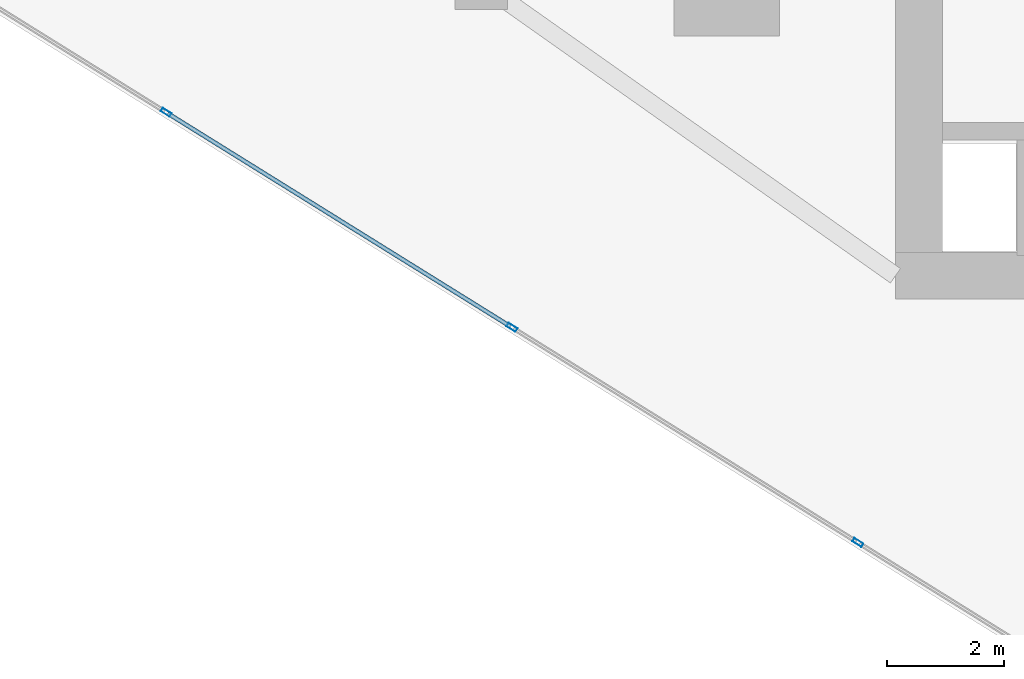
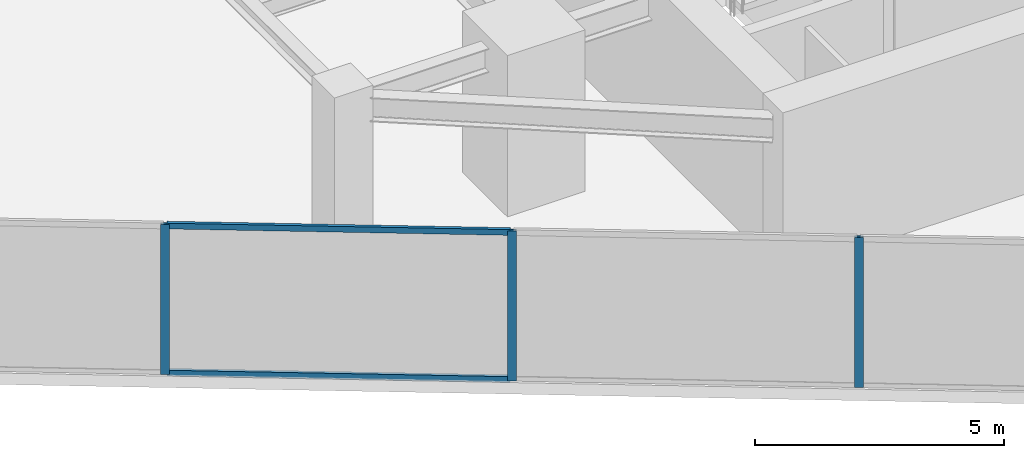
# One storey, part 2 of 25: 5 members, 1 element without a shape of its own.
"""IFC4 building model written with IfcOpenShell, lengths in metres."""

from ifc_helpers import new_model, si_unit, direction, frame, origin, origin_2d, place, context, subcontext, project, spatial, hollow_rectangle, extrude, source, transform, mapped, material, material_profile, profile_set, type_object, type_shapes, element, aggregate, save


model = new_model("IFC4")

# Units and contexts
model_context = context("Model", 3, precision=1e-05, world=origin(), true_north=direction((0.0, 1.0)))
body_context = subcontext(model_context, "Body", "Model", "MODEL_VIEW")
ifc_project = project(units=[si_unit("LENGTHUNIT", "METRE"), si_unit("AREAUNIT", "SQUARE_METRE"), si_unit("VOLUMEUNIT", "CUBIC_METRE"), si_unit("PLANEANGLEUNIT", "RADIAN"), si_unit("MASSUNIT", "GRAM", prefix="KILO")], contexts=[model_context])

# Site, building, storey
site_placement = place(None, origin())
site = spatial("IfcSite", under=ifc_project, at=site_placement, CompositionType="ELEMENT")
building_placement = place(site_placement, origin())
building = spatial("IfcBuilding", under=site, at=building_placement, Name="Krantzveldt Concourse Tower", CompositionType="ELEMENT")
storey_placement = place(building_placement, frame((0.0, 0.0, 177.800048828125)))
storey = spatial("IfcBuildingStorey", under=building, at=storey_placement, Name="L43", CompositionType="ELEMENT", Elevation=177.800048828125)

# Curtain wall, members
ifc_material = material(Name="Anodised aluminium 6063-T6", Category="aluminium")
curtain_wall_type = type_object("IfcCurtainWallType", Name="CW3", PredefinedType="USERDEFINED", material=ifc_material)
curtain_wall_placement = place(storey_placement, origin())
curtain_wall = element("IfcCurtainWall", 1, at=curtain_wall_placement, inside=storey, type_object=curtain_wall_type, Name="CW-L43-F04", ObjectType="UNITISED CURTAIN WALL", PredefinedType="USERDEFINED")
ifc_material_profile_1 = material_profile(ifc_material, hollow_rectangle(XDim=0.070068359375, YDim=0.179931640625, WallThickness=0.0048828125, at=origin_2d()), Name="Anodised aluminium 6063-T6", Category="aluminium")
ifc_profile_set_1 = profile_set([ifc_material_profile_1], Name="Anodised aluminium 6063-T6 - ALU-MULL 180x70x5")
member_type_1 = type_object("IfcMemberType", Name="CW-MUL-180", PredefinedType="MULLION", material=ifc_profile_set_1)
shared_shape_1 = source(origin(), body_context, "Body", "SweptSolid", [
    extrude(hollow_rectangle(XDim=0.070068359375, YDim=0.179931640625, WallThickness=0.0048828125, at=origin_2d()), origin(), (0.0, 0.0, 1.0), 3.669921875),
])
type_shapes(member_type_1, [shared_shape_1])
member_1_placement = place(storey_placement, frame((15.6171875, 13.69189453125, 0.0), z_axis=(0.0, 0.0, 1.0), x_axis=(0.528067901977, 0.84920214961, 0.0)))
member_1 = element("IfcMember", 2, at=member_1_placement, type_object=member_type_1, Name="CW-Z34 mullion 2", PredefinedType="MULLION", context=body_context, shape_type="MappedRepresentation", body=[
    mapped(shared_shape_1, transform((0.0, 0.0, 0.0), x_axis=(1.0, 0.0, 0.0), y_axis=(0.0, 1.0, 0.0), z_axis=(0.0, 0.0, 1.0), scale=1.0)),
])
member_2_placement = place(storey_placement, frame((21.527587890625, 10.0166015625, 0.0), z_axis=(0.0, 0.0, 1.0), x_axis=(0.528067901977, 0.84920214961, 0.0)))
member_2 = element("IfcMember", 3, at=member_2_placement, type_object=member_type_1, Name="CW-Z34 mullion 3", PredefinedType="MULLION", context=body_context, shape_type="MappedRepresentation", body=[
    mapped(shared_shape_1, transform((0.0, 0.0, 0.0), x_axis=(1.0, 0.0, 0.0), y_axis=(0.0, 1.0, 0.0), z_axis=(0.0, 0.0, 1.0), scale=1.0)),
])
member_3_placement = place(storey_placement, frame((27.43798828125, 6.34130859375, 0.0), z_axis=(0.0, 0.0, 1.0), x_axis=(0.528067901977, 0.84920214961, 0.0)))
member_3 = element("IfcMember", 4, at=member_3_placement, type_object=member_type_1, Name="CW-Z34 mullion 4", PredefinedType="MULLION", context=body_context, shape_type="MappedRepresentation", body=[
    mapped(shared_shape_1, transform((0.0, 0.0, 0.0), x_axis=(1.0, 0.0, 0.0), y_axis=(0.0, 1.0, 0.0), z_axis=(0.0, 0.0, 1.0), scale=1.0)),
])
ifc_material_profile_2 = material_profile(ifc_material, hollow_rectangle(XDim=0.070068359375, YDim=0.139892578125, WallThickness=0.0048828125, at=origin_2d()), Name="Anodised aluminium 6063-T6", Category="aluminium")
ifc_profile_set_2 = profile_set([ifc_material_profile_2], Name="Anodised aluminium 6063-T6 - ALU-TRAN 140x70x5")
member_type_2 = type_object("IfcMemberType", Name="CW-TRN-150", PredefinedType="USERDEFINED", material=ifc_profile_set_2)
shared_shape_2 = source(origin(), body_context, "Body", "SweptSolid", [
    extrude(hollow_rectangle(XDim=0.070068359375, YDim=0.139892578125, WallThickness=0.0048828125, at=origin_2d()), origin(), (0.0, 0.0, 1.0), 6.8896484375),
])
type_shapes(member_type_2, [shared_shape_2])
member_4_placement = place(storey_placement, frame((15.64697265625, 13.67333984375, 0.034912109375), z_axis=(0.849208452544, -0.528057765901, 0.0), x_axis=(0.528057765901, 0.849208452544, 0.0)))
member_4 = element("IfcMember", 5, at=member_4_placement, type_object=member_type_2, Name="CW-Z34 transom 2.1", ObjectType="TRANSOM", PredefinedType="USERDEFINED", context=body_context, shape_type="MappedRepresentation", body=[
    mapped(shared_shape_2, transform((0.0, 0.0, 0.0), x_axis=(1.0, 0.0, 0.0), y_axis=(0.0, 1.0, 0.0), z_axis=(0.0, 0.0, 1.0), scale=1.0)),
])
member_5_placement = place(storey_placement, frame((15.64697265625, 13.67333984375, 3.635009765625), z_axis=(0.849208452544, -0.528057765901, 0.0), x_axis=(0.528057765901, 0.849208452544, 0.0)))
member_5 = element("IfcMember", 6, at=member_5_placement, type_object=member_type_2, Name="CW-Z34 transom 2.2", ObjectType="TRANSOM", PredefinedType="USERDEFINED", context=body_context, shape_type="MappedRepresentation", body=[
    mapped(shared_shape_2, transform((0.0, 0.0, 0.0), x_axis=(1.0, 0.0, 0.0), y_axis=(0.0, 1.0, 0.0), z_axis=(0.0, 0.0, 1.0), scale=1.0)),
])
aggregate(curtain_wall, [member_1, member_2, member_3, member_4, member_5])

save(model, "model.ifc")
